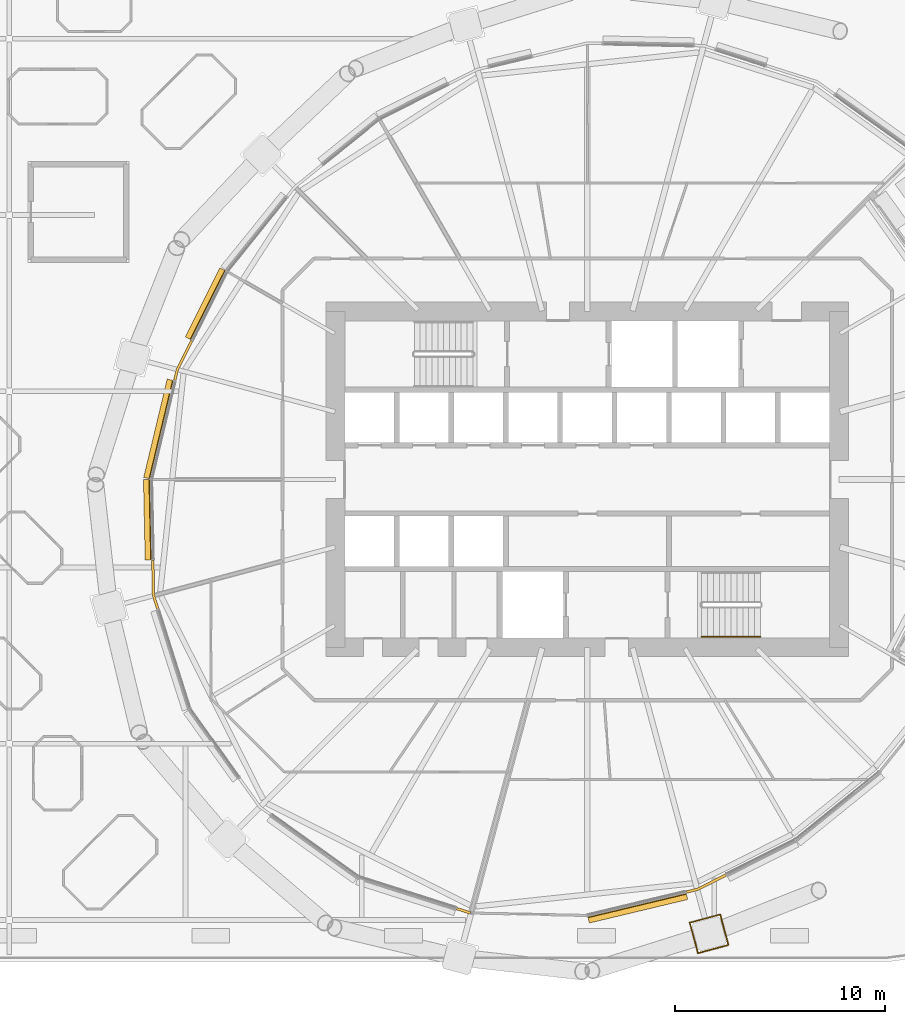
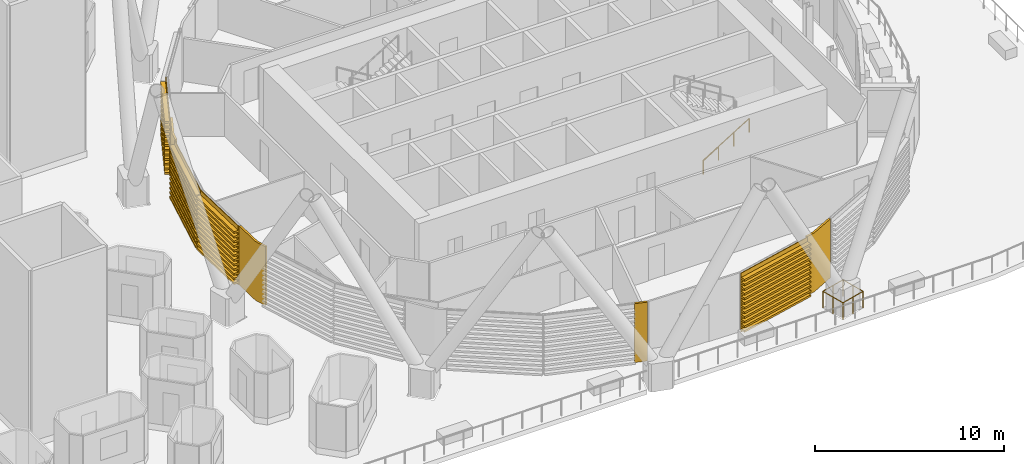
# One storey, part 42 of 47: 8 coverings, 5 railings.
"""IFC4 building model written with IfcOpenShell, lengths in metres."""

from ifc_helpers import new_model, si_unit, direction, frame, origin, origin_2d, place, context, subcontext, project, spatial, polyline, circle, outline, extrude, material, layer, layer_set, material_profile, profile_set, type_object, element, save


model = new_model("IFC4")

# Units and contexts
model_context = context("Model", 3, precision=1e-05, world=origin(), true_north=direction((0.0, 1.0)))
body_context = subcontext(model_context, "Body", "Model", "MODEL_VIEW")
ifc_project = project(units=[si_unit("LENGTHUNIT", "METRE"), si_unit("AREAUNIT", "SQUARE_METRE"), si_unit("VOLUMEUNIT", "CUBIC_METRE"), si_unit("PLANEANGLEUNIT", "RADIAN"), si_unit("MASSUNIT", "GRAM", prefix="KILO")], contexts=[model_context])

# Site, building, storey
site_placement = place(None, origin())
site = spatial("IfcSite", under=ifc_project, at=site_placement, CompositionType="ELEMENT")
building_placement = place(site_placement, origin())
building = spatial("IfcBuilding", under=site, at=building_placement, Name="Rimbun Link Towers", CompositionType="ELEMENT")
storey_placement = place(building_placement, frame((0.0, 0.0, 30.0)))
storey = spatial("IfcBuildingStorey", under=building, at=storey_placement, Name="L06", CompositionType="ELEMENT", Elevation=30.0)

# Railings
ifc_material_1 = material(Name="Stainless steel grade 316", Category="steel")
railing_type_1 = type_object("IfcRailingType", Name="GUARD stainless rail and posts", PredefinedType="GUARDRAIL", material=ifc_material_1)
railing_1_placement = place(storey_placement, frame((37.02294921875, -22.576904296875, 0.0)))
element("IfcRailing", 1, at=railing_1_placement, inside=storey, type_object=railing_type_1, Name="GUARD slab opening", PredefinedType="GUARDRAIL", context=body_context, shape_type="SweptSolid", body=[
    extrude(circle(Radius=0.02392578125, at=origin_2d()), frame((0.0, 0.0, 1.076171875), z_axis=(0.965896463051, 0.258928605344, 0.0), x_axis=(-0.258928605344, 0.965896463051, 0.0)), (0.0, 0.0, 1.0), 1.500244140625),
    extrude(circle(Radius=0.02099609375, at=origin_2d()), origin(), (0.0, 0.0, 1.0), 1.052001953125),
    extrude(circle(Radius=0.02099609375, at=origin_2d()), frame((0.724609375, 0.1943359375, 0.0)), (0.0, 0.0, 1.0), 1.052001953125),
    extrude(circle(Radius=0.02099609375, at=origin_2d()), frame((1.448974609375, 0.388427734375, 0.0)), (0.0, 0.0, 1.0), 1.052001953125),
])
railing_2_placement = place(storey_placement, frame((38.471923828125, -22.1884765625, 0.0)))
element("IfcRailing", 2, at=railing_2_placement, inside=storey, type_object=railing_type_1, Name="GUARD slab opening", PredefinedType="GUARDRAIL", context=body_context, shape_type="SweptSolid", body=[
    extrude(circle(Radius=0.02392578125, at=origin_2d()), frame((0.0, 0.0, 1.076171875), z_axis=(-0.258928605344, 0.965896463051, 0.0), x_axis=(-0.965896463051, -0.258928605344, 0.0)), (0.0, 0.0, 1.0), 1.500244140625),
    extrude(circle(Radius=0.02099609375, at=origin_2d()), origin(), (0.0, 0.0, 1.0), 1.052001953125),
    extrude(circle(Radius=0.02099609375, at=origin_2d()), frame((-0.1943359375, 0.724609375, 0.0)), (0.0, 0.0, 1.0), 1.052001953125),
    extrude(circle(Radius=0.02099609375, at=origin_2d()), frame((-0.388427734375, 1.448974609375, 0.0)), (0.0, 0.0, 1.0), 1.052001953125),
])
railing_3_placement = place(storey_placement, frame((38.08349609375, -20.739501953125, 0.0)))
element("IfcRailing", 3, at=railing_3_placement, inside=storey, type_object=railing_type_1, Name="GUARD slab opening", PredefinedType="GUARDRAIL", context=body_context, shape_type="SweptSolid", body=[
    extrude(circle(Radius=0.02392578125, at=origin_2d()), frame((0.0, 0.0, 1.076171875), z_axis=(-0.965885549343, -0.258969313954, 0.0), x_axis=(0.258969313954, -0.965885549343, 0.0)), (0.0, 0.0, 1.0), 1.5),
    extrude(circle(Radius=0.02099609375, at=origin_2d()), origin(), (0.0, 0.0, 1.0), 1.052001953125),
    extrude(circle(Radius=0.02099609375, at=origin_2d()), frame((-0.724365234375, -0.1943359375, 0.0)), (0.0, 0.0, 1.0), 1.052001953125),
    extrude(circle(Radius=0.02099609375, at=origin_2d()), frame((-1.44873046875, -0.388427734375, 0.0)), (0.0, 0.0, 1.0), 1.052001953125),
])
railing_4_placement = place(storey_placement, frame((36.634765625, -21.1279296875, 0.0)))
element("IfcRailing", 4, at=railing_4_placement, inside=storey, type_object=railing_type_1, Name="GUARD slab opening", PredefinedType="GUARDRAIL", context=body_context, shape_type="SweptSolid", body=[
    extrude(circle(Radius=0.02392578125, at=origin_2d()), frame((0.0, 0.0, 1.076171875), z_axis=(0.258776761059, -0.965937155273, 0.0), x_axis=(0.965937155273, 0.258776761059, 0.0)), (0.0, 0.0, 1.0), 1.5),
    extrude(circle(Radius=0.02099609375, at=origin_2d()), origin(), (0.0, 0.0, 1.0), 1.052001953125),
    extrude(circle(Radius=0.02099609375, at=origin_2d()), frame((0.194091796875, -0.724609375, 0.0)), (0.0, 0.0, 1.0), 1.052001953125),
    extrude(circle(Radius=0.02099609375, at=origin_2d()), frame((0.38818359375, -1.448974609375, 0.0)), (0.0, 0.0, 1.0), 1.052001953125),
])

# Coverings
ifc_material_2 = material(Name="Terracotta", Category="masonry")
ifc_layer = layer(ifc_material_2, 0.1201171875)
ifc_layer_set = layer_set([ifc_layer], Name="LINK PIER terracotta cladding 120")
covering_type_1 = type_object("IfcCoveringType", Name="LINK PIER terracotta cladding 120", PredefinedType="CLADDING", material=ifc_layer_set)
covering_1_placement = place(storey_placement, origin())
element("IfcCovering", 5, at=covering_1_placement, inside=storey, type_object=covering_type_1, Name="LINK PIER cladding", PredefinedType="CLADDING", context=body_context, shape_type="SweptSolid", body=[
    extrude(outline(polyline([(12.144287109375, 4.715087890625), (12.26513671875, 5.220947265625), (12.947265625, 6.579345703125), (12.840087890625, 6.633056640625), (12.151611328125, 5.262451171875), (12.027587890625, 4.7431640625), (12.144287109375, 4.715087890625)])), origin(), (0.0, 0.0, 1.0), 3.800048828125),
])
covering_2_placement = place(storey_placement, origin())
element("IfcCovering", 6, at=covering_2_placement, inside=storey, type_object=covering_type_1, Name="LINK PIER cladding", PredefinedType="CLADDING", context=body_context, shape_type="SweptSolid", body=[
    extrude(outline(polyline([(11.3359375, -6.162841796875), (11.1328125, -5.5244140625), (11.09765625, -3.854736328125), (10.977783203125, -3.857177734375), (11.01318359375, -5.544189453125), (11.2216796875, -6.19921875), (11.3359375, -6.162841796875)])), origin(), (0.0, 0.0, 1.0), 3.800048828125),
])
covering_3_placement = place(storey_placement, origin())
element("IfcCovering", 7, at=covering_3_placement, inside=storey, type_object=covering_type_1, Name="LINK PIER cladding", PredefinedType="CLADDING", context=body_context, shape_type="SweptSolid", body=[
    extrude(outline(polyline([(26.197021484375, -20.60791015625), (25.53955078125, -20.39892578125), (25.503173828125, -20.51318359375), (26.16064453125, -20.722412109375), (26.197021484375, -20.60791015625)])), origin(), (0.0, 0.0, 1.0), 3.800048828125),
])
covering_4_placement = place(storey_placement, origin())
element("IfcCovering", 8, at=covering_4_placement, inside=storey, type_object=covering_type_1, Name="LINK PIER cladding", PredefinedType="CLADDING", context=body_context, shape_type="SweptSolid", body=[
    extrude(outline(polyline([(38.329345703125, -18.802734375), (36.970947265625, -19.48486328125), (36.465087890625, -19.605712890625), (36.4931640625, -19.722412109375), (37.012451171875, -19.598388671875), (38.383056640625, -18.909912109375), (38.329345703125, -18.802734375)])), origin(), (0.0, 0.0, 1.0), 3.800048828125),
])

# Railing
ifc_material_3 = material(Name="Stainless steel grade 316", Category="steel")
railing_type_2 = type_object("IfcRailingType", Name="Stair handrail", PredefinedType="HANDRAIL", material=ifc_material_3)
railing_5_placement = place(storey_placement, frame((37.199951171875, -7.5, 0.172607421875)))
element("IfcRailing", 9, at=railing_5_placement, inside=storey, type_object=railing_type_2, Name="L06 ST4 stair handrail 1", PredefinedType="HANDRAIL", context=body_context, shape_type="SweptSolid", body=[
    extrude(circle(Radius=0.02392578125, at=origin_2d()), frame((0.0, 0.0, 0.8759765625), z_axis=(0.851089632645, 0.0, 0.525020415988), x_axis=(0.0, 1.0, 0.0)), (0.0, 0.0, 1.0), 3.2900390625),
    extrude(circle(Radius=0.02099609375, at=origin_2d()), origin(), (0.0, 0.0, 1.0), 0.851806640625),
    extrude(circle(Radius=0.02099609375, at=origin_2d()), frame((0.933349609375, 0.0, 0.57568359375)), (0.0, 0.0, 1.0), 0.851806640625),
    extrude(circle(Radius=0.02099609375, at=origin_2d()), frame((1.86669921875, 0.0, 1.151611328125)), (0.0, 0.0, 1.0), 0.851806640625),
    extrude(circle(Radius=0.02099609375, at=origin_2d()), frame((2.800048828125, 0.0, 1.727294921875)), (0.0, 0.0, 1.0), 0.851806640625),
])

# Coverings
ifc_material_4 = material(Name="Terracotta", Category="masonry")
ifc_material_profile = material_profile(ifc_material_4, outline(polyline([(0.123046875, 0.0), (0.1630859375, 0.0), (0.1630859375, 0.10009765625), (0.423095703125, 0.10009765625), (0.423095703125, 0.219970703125), (0.1630859375, 0.219970703125), (0.1630859375, 0.39990234375), (0.423095703125, 0.39990234375), (0.423095703125, 0.52001953125), (0.1630859375, 0.52001953125), (0.1630859375, 0.699951171875), (0.423095703125, 0.699951171875), (0.423095703125, 0.820068359375), (0.1630859375, 0.820068359375), (0.1630859375, 1.0), (0.423095703125, 1.0), (0.423095703125, 1.1201171875), (0.1630859375, 1.1201171875), (0.1630859375, 1.300048828125), (0.423095703125, 1.300048828125), (0.423095703125, 1.419921875), (0.1630859375, 1.419921875), (0.1630859375, 1.60009765625), (0.423095703125, 1.60009765625), (0.423095703125, 1.719970703125), (0.1630859375, 1.719970703125), (0.1630859375, 1.89990234375), (0.423095703125, 1.89990234375), (0.423095703125, 2.02001953125), (0.1630859375, 2.02001953125), (0.1630859375, 2.199951171875), (0.423095703125, 2.199951171875), (0.423095703125, 2.320068359375), (0.1630859375, 2.320068359375), (0.1630859375, 2.5), (0.423095703125, 2.5), (0.423095703125, 2.6201171875), (0.1630859375, 2.6201171875), (0.1630859375, 2.800048828125), (0.423095703125, 2.800048828125), (0.423095703125, 2.919921875), (0.1630859375, 2.919921875), (0.1630859375, 3.10009765625), (0.423095703125, 3.10009765625), (0.423095703125, 3.219970703125), (0.1630859375, 3.219970703125), (0.1630859375, 3.39990234375), (0.423095703125, 3.39990234375), (0.423095703125, 3.52001953125), (0.1630859375, 3.52001953125), (0.1630859375, 3.800048828125), (0.123046875, 3.800048828125), (0.123046875, 0.0)])), Name="BAGUETTE 120X300")
ifc_profile_set = profile_set([ifc_material_profile], Name="Terracotta")
covering_type_2 = type_object("IfcCoveringType", Name="TERRACOTTA BAGUETTE 120X300 H3800", PredefinedType="CLADDING", material=ifc_profile_set)
covering_5_placement = place(storey_placement, frame((12.960693359375, 6.60595703125, 0.0), z_axis=(0.448805100121, 0.893629667203, 0.0), x_axis=(-0.893629667203, 0.448805100121, 0.0)))
element("IfcCovering", 10, at=covering_5_placement, inside=storey, type_object=covering_type_2, Name="TERRACOTTA BAGUETTE", PredefinedType="CLADDING", context=body_context, shape_type="SweptSolid", body=[
    extrude(outline(polyline([(0.123046875, 0.0), (0.1630859375, 0.0), (0.1630859375, 0.10009765625), (0.423095703125, 0.10009765625), (0.423095703125, 0.219970703125), (0.1630859375, 0.219970703125), (0.1630859375, 0.39990234375), (0.423095703125, 0.39990234375), (0.423095703125, 0.52001953125), (0.1630859375, 0.52001953125), (0.1630859375, 0.699951171875), (0.423095703125, 0.699951171875), (0.423095703125, 0.820068359375), (0.1630859375, 0.820068359375), (0.1630859375, 1.0), (0.423095703125, 1.0), (0.423095703125, 1.1201171875), (0.1630859375, 1.1201171875), (0.1630859375, 1.300048828125), (0.423095703125, 1.300048828125), (0.423095703125, 1.419921875), (0.1630859375, 1.419921875), (0.1630859375, 1.60009765625), (0.423095703125, 1.60009765625), (0.423095703125, 1.719970703125), (0.1630859375, 1.719970703125), (0.1630859375, 1.89990234375), (0.423095703125, 1.89990234375), (0.423095703125, 2.02001953125), (0.1630859375, 2.02001953125), (0.1630859375, 2.199951171875), (0.423095703125, 2.199951171875), (0.423095703125, 2.320068359375), (0.1630859375, 2.320068359375), (0.1630859375, 2.5), (0.423095703125, 2.5), (0.423095703125, 2.6201171875), (0.1630859375, 2.6201171875), (0.1630859375, 2.800048828125), (0.423095703125, 2.800048828125), (0.423095703125, 2.919921875), (0.1630859375, 2.919921875), (0.1630859375, 3.10009765625), (0.423095703125, 3.10009765625), (0.423095703125, 3.219970703125), (0.1630859375, 3.219970703125), (0.1630859375, 3.39990234375), (0.423095703125, 3.39990234375), (0.423095703125, 3.52001953125), (0.1630859375, 3.52001953125), (0.1630859375, 3.800048828125), (0.123046875, 3.800048828125), (0.123046875, 0.0)])), origin(), (0.0, 0.0, 1.0), 3.679931640625),
])
covering_6_placement = place(storey_placement, frame((11.0166015625, 0.0, 0.0), z_axis=(0.232579464969, 0.97257739665, 0.0), x_axis=(-0.97257739665, 0.232579464969, 0.0)))
element("IfcCovering", 11, at=covering_6_placement, inside=storey, type_object=covering_type_2, Name="TERRACOTTA BAGUETTE", PredefinedType="CLADDING", context=body_context, shape_type="SweptSolid", body=[
    extrude(outline(polyline([(0.123046875, 0.0), (0.1630859375, 0.0), (0.1630859375, 0.10009765625), (0.423095703125, 0.10009765625), (0.423095703125, 0.219970703125), (0.1630859375, 0.219970703125), (0.1630859375, 0.39990234375), (0.423095703125, 0.39990234375), (0.423095703125, 0.52001953125), (0.1630859375, 0.52001953125), (0.1630859375, 0.699951171875), (0.423095703125, 0.699951171875), (0.423095703125, 0.820068359375), (0.1630859375, 0.820068359375), (0.1630859375, 1.0), (0.423095703125, 1.0), (0.423095703125, 1.1201171875), (0.1630859375, 1.1201171875), (0.1630859375, 1.300048828125), (0.423095703125, 1.300048828125), (0.423095703125, 1.419921875), (0.1630859375, 1.419921875), (0.1630859375, 1.60009765625), (0.423095703125, 1.60009765625), (0.423095703125, 1.719970703125), (0.1630859375, 1.719970703125), (0.1630859375, 1.89990234375), (0.423095703125, 1.89990234375), (0.423095703125, 2.02001953125), (0.1630859375, 2.02001953125), (0.1630859375, 2.199951171875), (0.423095703125, 2.199951171875), (0.423095703125, 2.320068359375), (0.1630859375, 2.320068359375), (0.1630859375, 2.5), (0.423095703125, 2.5), (0.423095703125, 2.6201171875), (0.1630859375, 2.6201171875), (0.1630859375, 2.800048828125), (0.423095703125, 2.800048828125), (0.423095703125, 2.919921875), (0.1630859375, 2.919921875), (0.1630859375, 3.10009765625), (0.423095703125, 3.10009765625), (0.423095703125, 3.219970703125), (0.1630859375, 3.219970703125), (0.1630859375, 3.39990234375), (0.423095703125, 3.39990234375), (0.423095703125, 3.52001953125), (0.1630859375, 3.52001953125), (0.1630859375, 3.800048828125), (0.123046875, 3.800048828125), (0.123046875, 0.0)])), origin(), (0.0, 0.0, 1.0), 4.818115234375),
])
covering_7_placement = place(storey_placement, frame((11.09716796875, -3.82470703125, 0.0), z_axis=(-0.021060054265, 0.999778212462, 0.0), x_axis=(-0.999778212462, -0.021060054265, 0.0)))
element("IfcCovering", 12, at=covering_7_placement, inside=storey, type_object=covering_type_2, Name="TERRACOTTA BAGUETTE", PredefinedType="CLADDING", context=body_context, shape_type="SweptSolid", body=[
    extrude(outline(polyline([(0.123046875, 0.0), (0.1630859375, 0.0), (0.1630859375, 0.10009765625), (0.423095703125, 0.10009765625), (0.423095703125, 0.219970703125), (0.1630859375, 0.219970703125), (0.1630859375, 0.39990234375), (0.423095703125, 0.39990234375), (0.423095703125, 0.52001953125), (0.1630859375, 0.52001953125), (0.1630859375, 0.699951171875), (0.423095703125, 0.699951171875), (0.423095703125, 0.820068359375), (0.1630859375, 0.820068359375), (0.1630859375, 1.0), (0.423095703125, 1.0), (0.423095703125, 1.1201171875), (0.1630859375, 1.1201171875), (0.1630859375, 1.300048828125), (0.423095703125, 1.300048828125), (0.423095703125, 1.419921875), (0.1630859375, 1.419921875), (0.1630859375, 1.60009765625), (0.423095703125, 1.60009765625), (0.423095703125, 1.719970703125), (0.1630859375, 1.719970703125), (0.1630859375, 1.89990234375), (0.423095703125, 1.89990234375), (0.423095703125, 2.02001953125), (0.1630859375, 2.02001953125), (0.1630859375, 2.199951171875), (0.423095703125, 2.199951171875), (0.423095703125, 2.320068359375), (0.1630859375, 2.320068359375), (0.1630859375, 2.5), (0.423095703125, 2.5), (0.423095703125, 2.6201171875), (0.1630859375, 2.6201171875), (0.1630859375, 2.800048828125), (0.423095703125, 2.800048828125), (0.423095703125, 2.919921875), (0.1630859375, 2.919921875), (0.1630859375, 3.10009765625), (0.423095703125, 3.10009765625), (0.423095703125, 3.219970703125), (0.1630859375, 3.219970703125), (0.1630859375, 3.39990234375), (0.423095703125, 3.39990234375), (0.423095703125, 3.52001953125), (0.1630859375, 3.52001953125), (0.1630859375, 3.800048828125), (0.123046875, 3.800048828125), (0.123046875, 0.0)])), origin(), (0.0, 0.0, 1.0), 3.825439453125),
])
covering_8_placement = place(storey_placement, frame((36.43603515625, -19.61279296875, 0.0), z_axis=(-0.97257739665, -0.232579464969, 0.0), x_axis=(0.232579464969, -0.97257739665, 0.0)))
element("IfcCovering", 13, at=covering_8_placement, inside=storey, type_object=covering_type_2, Name="TERRACOTTA BAGUETTE", PredefinedType="CLADDING", context=body_context, shape_type="SweptSolid", body=[
    extrude(outline(polyline([(0.123046875, 0.0), (0.1630859375, 0.0), (0.1630859375, 0.10009765625), (0.423095703125, 0.10009765625), (0.423095703125, 0.219970703125), (0.1630859375, 0.219970703125), (0.1630859375, 0.39990234375), (0.423095703125, 0.39990234375), (0.423095703125, 0.52001953125), (0.1630859375, 0.52001953125), (0.1630859375, 0.699951171875), (0.423095703125, 0.699951171875), (0.423095703125, 0.820068359375), (0.1630859375, 0.820068359375), (0.1630859375, 1.0), (0.423095703125, 1.0), (0.423095703125, 1.1201171875), (0.1630859375, 1.1201171875), (0.1630859375, 1.300048828125), (0.423095703125, 1.300048828125), (0.423095703125, 1.419921875), (0.1630859375, 1.419921875), (0.1630859375, 1.60009765625), (0.423095703125, 1.60009765625), (0.423095703125, 1.719970703125), (0.1630859375, 1.719970703125), (0.1630859375, 1.89990234375), (0.423095703125, 1.89990234375), (0.423095703125, 2.02001953125), (0.1630859375, 2.02001953125), (0.1630859375, 2.199951171875), (0.423095703125, 2.199951171875), (0.423095703125, 2.320068359375), (0.1630859375, 2.320068359375), (0.1630859375, 2.5), (0.423095703125, 2.5), (0.423095703125, 2.6201171875), (0.1630859375, 2.6201171875), (0.1630859375, 2.800048828125), (0.423095703125, 2.800048828125), (0.423095703125, 2.919921875), (0.1630859375, 2.919921875), (0.1630859375, 3.10009765625), (0.423095703125, 3.10009765625), (0.423095703125, 3.219970703125), (0.1630859375, 3.219970703125), (0.1630859375, 3.39990234375), (0.423095703125, 3.39990234375), (0.423095703125, 3.52001953125), (0.1630859375, 3.52001953125), (0.1630859375, 3.800048828125), (0.123046875, 3.800048828125), (0.123046875, 0.0)])), origin(), (0.0, 0.0, 1.0), 4.818115234375),
])

save(model, "model.ifc")
